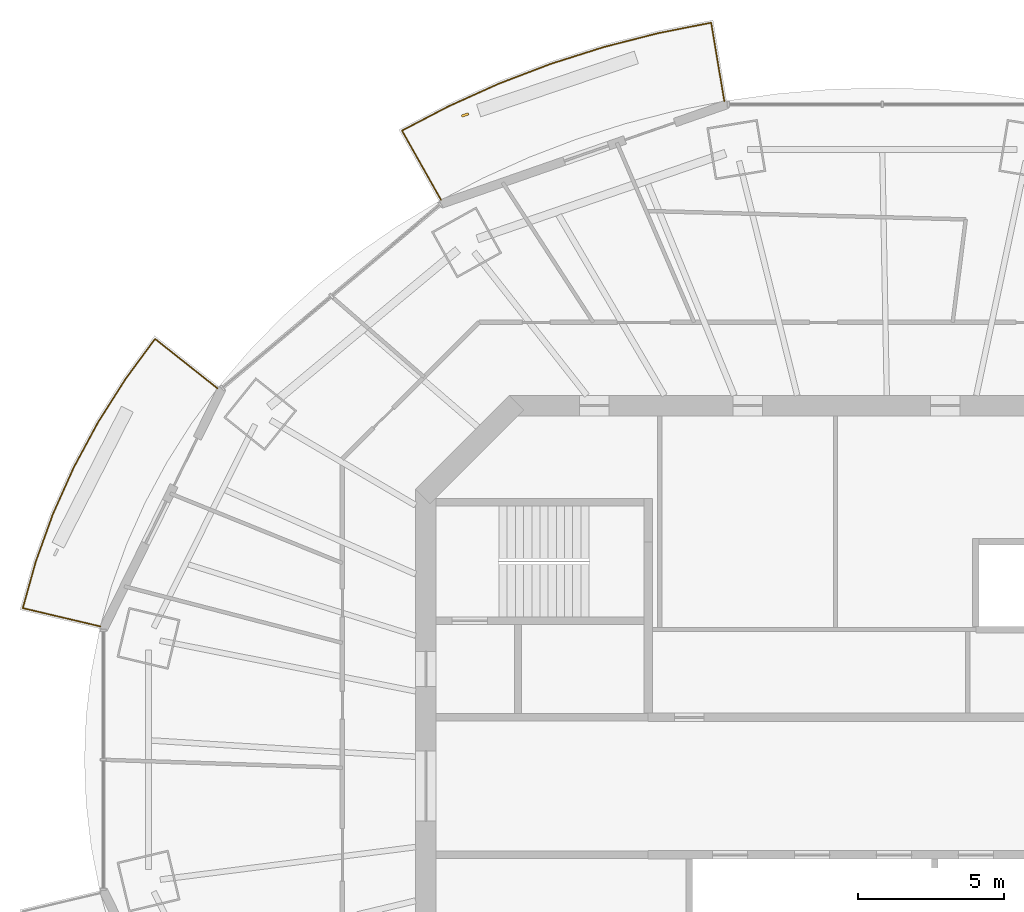
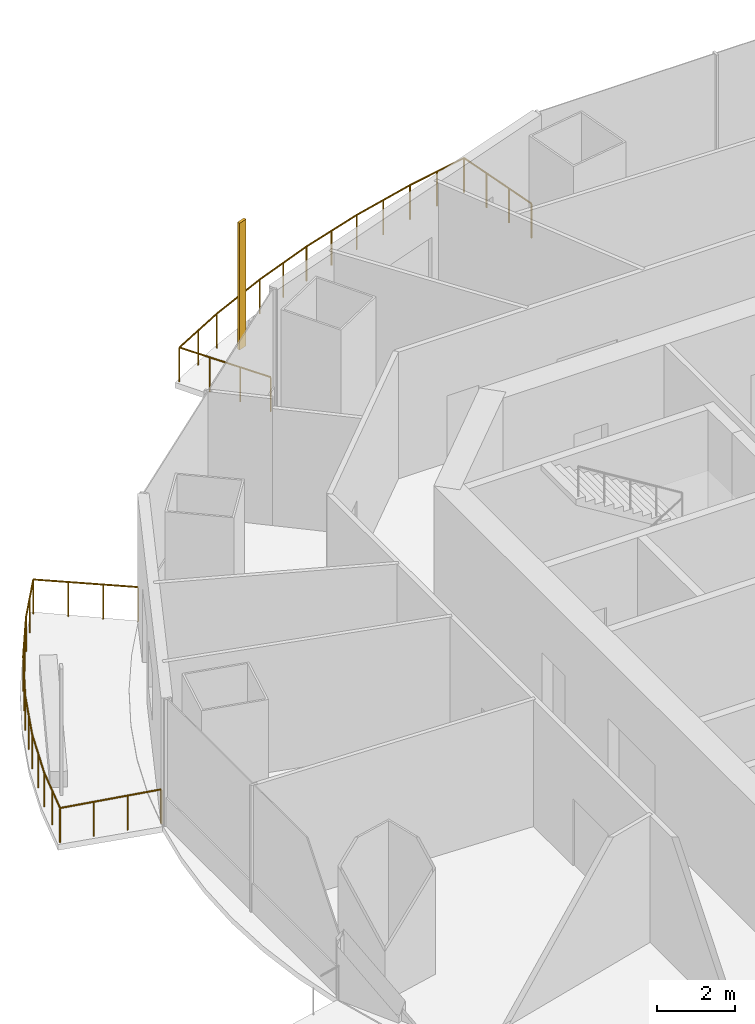
# One storey, part 14 of 16: 2 railings, 1 shading device.
"""IFC4 building model written with IfcOpenShell, lengths in metres."""

from ifc_helpers import new_model, si_unit, direction, frame, origin, origin_2d, place, context, subcontext, project, spatial, rectangle, circle, extrude, material, material_profile, profile_set, type_object, element, save


model = new_model("IFC4")

# Units and contexts
model_context = context("Model", 3, precision=1e-05, world=origin(), true_north=direction((0.0, 1.0)))
body_context = subcontext(model_context, "Body", "Model", "MODEL_VIEW")
ifc_project = project(units=[si_unit("LENGTHUNIT", "METRE"), si_unit("AREAUNIT", "SQUARE_METRE"), si_unit("VOLUMEUNIT", "CUBIC_METRE"), si_unit("PLANEANGLEUNIT", "RADIAN"), si_unit("MASSUNIT", "GRAM", prefix="KILO")], contexts=[model_context])

# Site, building, storey
site_placement = place(None, origin())
site = spatial("IfcSite", under=ifc_project, at=site_placement, CompositionType="ELEMENT")
building_placement = place(site_placement, origin())
building = spatial("IfcBuilding", under=site, at=building_placement, Name="Marenthal Gate Tower", CompositionType="ELEMENT")
storey_placement = place(building_placement, frame((0.0, 0.0, 338.449951171875)))
storey = spatial("IfcBuildingStorey", under=building, at=storey_placement, Name="L76", CompositionType="ELEMENT", Elevation=338.449951171875)

# Railings
ifc_material_1 = material(Name="Stainless steel", Category="steel")
railing_type = type_object("IfcRailingType", Name="Balcony guard 1100", PredefinedType="GUARDRAIL", material=ifc_material_1)
railing_1_placement = place(storey_placement, frame((-15.47998046875, 20.031494140625, 0.0)))
element("IfcRailing", 1, at=railing_1_placement, inside=storey, type_object=railing_type, Name="Balcony guard L76 bay 5", PredefinedType="GUARDRAIL", context=body_context, shape_type="SweptSolid", body=[
    extrude(circle(Radius=0.02392578125, at=origin_2d()), frame((0.0, 0.0, 1.076171875), z_axis=(-0.490740668141, 0.871181358019, -0.014718630134), x_axis=(-0.871275738879, -0.490793833336, 0.0)), (0.0, 0.0, 1.0), 2.72021484375),
    extrude(circle(Radius=0.02392578125, at=origin_2d()), frame((-1.3349609375, 2.369873046875, 1.0361328125), z_axis=(0.886507182027, 0.462714832498, 0.0), x_axis=(-0.462714832498, 0.886507182027, 0.0)), (0.0, 0.0, 1.0), 1.7939453125),
    extrude(circle(Radius=0.02392578125, at=origin_2d()), frame((0.25537109375, 3.199951171875, 1.0361328125), z_axis=(0.911863363512, 0.410493856573, 0.0), x_axis=(-0.410493856573, 0.911863363512, 0.0)), (0.0, 0.0, 1.0), 1.885986328125),
    extrude(circle(Radius=0.02392578125, at=origin_2d()), frame((1.97509765625, 3.97412109375, 1.0361328125), z_axis=(0.934293977025, 0.356503526623, 0.0), x_axis=(-0.356503526623, 0.934293977025, 0.0)), (0.0, 0.0, 1.0), 1.897705078125),
    extrude(circle(Radius=0.02392578125, at=origin_2d()), frame((3.748046875, 4.650634765625, 1.0361328125), z_axis=(0.953251321023, 0.302178620963, 0.0), x_axis=(-0.302178620963, 0.953251321023, 0.0)), (0.0, 0.0, 1.0), 1.907470703125),
    extrude(circle(Radius=0.02392578125, at=origin_2d()), frame((5.56640625, 5.22705078125, 1.0361328125), z_axis=(0.96890861354, 0.24741887278, 0.0), x_axis=(-0.24741887278, 0.96890861354, 0.0)), (0.0, 0.0, 1.0), 1.916259765625),
    extrude(circle(Radius=0.02392578125, at=origin_2d()), frame((7.423095703125, 5.701171875, 1.0361328125), z_axis=(0.981021353845, 0.193899724859, 0.0), x_axis=(-0.193899724859, 0.981021353845, 0.0)), (0.0, 0.0, 1.0), 1.84326171875),
    extrude(circle(Radius=0.02392578125, at=origin_2d()), frame((9.2314453125, 6.05859375, 1.0361328125), z_axis=(0.165312526275, -0.986131399953, 0.014718379104), x_axis=(0.98623823047, 0.165330435068, 0.0)), (0.0, 0.0, 1.0), 2.720458984375),
    extrude(circle(Radius=0.02099609375, at=origin_2d()), origin(), (0.0, 0.0, 1.0), 1.052001953125),
    extrude(circle(Radius=0.02099609375, at=origin_2d()), frame((-0.445068359375, 0.7900390625, -0.013427734375)), (0.0, 0.0, 1.0), 1.052001953125),
    extrude(circle(Radius=0.02099609375, at=origin_2d()), frame((-0.889892578125, 1.579833984375, -0.026611328125)), (0.0, 0.0, 1.0), 1.052001953125),
    extrude(circle(Radius=0.02099609375, at=origin_2d()), frame((-1.3349609375, 2.369873046875, -0.0400390625)), (0.0, 0.0, 1.0), 1.052001953125),
    extrude(circle(Radius=0.02099609375, at=origin_2d()), frame((-0.539794921875, 2.784912109375, -0.0400390625)), (0.0, 0.0, 1.0), 1.052001953125),
    extrude(circle(Radius=0.02099609375, at=origin_2d()), frame((0.25537109375, 3.199951171875, -0.0400390625)), (0.0, 0.0, 1.0), 1.052001953125),
    extrude(circle(Radius=0.02099609375, at=origin_2d()), frame((1.115234375, 3.5869140625, -0.0400390625)), (0.0, 0.0, 1.0), 1.052001953125),
    extrude(circle(Radius=0.02099609375, at=origin_2d()), frame((1.97509765625, 3.97412109375, -0.0400390625)), (0.0, 0.0, 1.0), 1.052001953125),
    extrude(circle(Radius=0.02099609375, at=origin_2d()), frame((2.861572265625, 4.3125, -0.0400390625)), (0.0, 0.0, 1.0), 1.052001953125),
    extrude(circle(Radius=0.02099609375, at=origin_2d()), frame((3.748046875, 4.650634765625, -0.0400390625)), (0.0, 0.0, 1.0), 1.052001953125),
    extrude(circle(Radius=0.02099609375, at=origin_2d()), frame((4.6572265625, 4.93896484375, -0.0400390625)), (0.0, 0.0, 1.0), 1.052001953125),
    extrude(circle(Radius=0.02099609375, at=origin_2d()), frame((5.56640625, 5.22705078125, -0.0400390625)), (0.0, 0.0, 1.0), 1.052001953125),
    extrude(circle(Radius=0.02099609375, at=origin_2d()), frame((6.49462890625, 5.464111328125, -0.0400390625)), (0.0, 0.0, 1.0), 1.052001953125),
    extrude(circle(Radius=0.02099609375, at=origin_2d()), frame((7.423095703125, 5.701171875, -0.0400390625)), (0.0, 0.0, 1.0), 1.052001953125),
    extrude(circle(Radius=0.02099609375, at=origin_2d()), frame((8.3271484375, 5.8798828125, -0.0400390625)), (0.0, 0.0, 1.0), 1.052001953125),
    extrude(circle(Radius=0.02099609375, at=origin_2d()), frame((9.2314453125, 6.05859375, -0.0400390625)), (0.0, 0.0, 1.0), 1.052001953125),
    extrude(circle(Radius=0.02099609375, at=origin_2d()), frame((9.38134765625, 5.164306640625, -0.026611328125)), (0.0, 0.0, 1.0), 1.052001953125),
    extrude(circle(Radius=0.02099609375, at=origin_2d()), frame((9.53125, 4.270263671875, -0.013427734375)), (0.0, 0.0, 1.0), 1.052001953125),
    extrude(circle(Radius=0.02099609375, at=origin_2d()), frame((9.68115234375, 3.3759765625, 0.0)), (0.0, 0.0, 1.0), 1.052001953125),
])
railing_2_placement = place(storey_placement, frame((-27.126708984375, 5.45751953125, 0.0)))
element("IfcRailing", 2, at=railing_2_placement, inside=storey, type_object=railing_type, Name="Balcony guard L76 bay 7", PredefinedType="GUARDRAIL", context=body_context, shape_type="SweptSolid", body=[
    extrude(circle(Radius=0.02392578125, at=origin_2d()), frame((0.0, 0.0, 1.076171875), z_axis=(-0.97315730439, 0.229669790827, -0.014718970573), x_axis=(-0.229694673631, -0.973262737859, 0.0)), (0.0, 0.0, 1.0), 2.72021484375),
    extrude(circle(Radius=0.02392578125, at=origin_2d()), frame((-2.647216796875, 0.624755859375, 1.0361328125), z_axis=(0.268600452735, 0.963251678841, 0.0), x_axis=(-0.963251678841, 0.268600452735, 0.0)), (0.0, 0.0, 1.0), 1.645263671875),
    extrude(circle(Radius=0.02392578125, at=origin_2d()), frame((-2.205322265625, 2.20947265625, 1.0361328125), z_axis=(0.338924060667, 0.940813733478, 0.0), x_axis=(-0.940813733478, 0.338924060667, 0.0)), (0.0, 0.0, 1.0), 1.732421875),
    extrude(circle(Radius=0.02392578125, at=origin_2d()), frame((-1.6181640625, 3.83935546875, 1.0361328125), z_axis=(0.407984820198, 0.912988711041, 0.0), x_axis=(-0.912988711041, 0.407984820198, 0.0)), (0.0, 0.0, 1.0), 1.741455078125),
    extrude(circle(Radius=0.02392578125, at=origin_2d()), frame((-0.90771484375, 5.42919921875, 1.0361328125), z_axis=(0.47377562076, 0.880645593399, 0.0), x_axis=(-0.880645593399, 0.47377562076, 0.0)), (0.0, 0.0, 1.0), 1.75146484375),
    extrude(circle(Radius=0.02392578125, at=origin_2d()), frame((-0.077880859375, 6.9716796875, 1.0361328125), z_axis=(0.535835828865, 0.844322192356, 0.0), x_axis=(-0.844322192356, 0.535835828865, 0.0)), (0.0, 0.0, 1.0), 1.76318359375),
    extrude(circle(Radius=0.02392578125, at=origin_2d()), frame((0.866943359375, 8.46044921875, 1.0361328125), z_axis=(0.592673479354, 0.805442826569, 0.0), x_axis=(-0.805442826569, 0.592673479354, 0.0)), (0.0, 0.0, 1.0), 1.69580078125),
    extrude(circle(Radius=0.02392578125, at=origin_2d()), frame((1.8720703125, 9.826416015625, 1.0361328125), z_axis=(0.783569480419, -0.621129810329, 0.01471829055), x_axis=(0.621197098339, 0.783654365786, 0.0)), (0.0, 0.0, 1.0), 2.720458984375),
    extrude(circle(Radius=0.02099609375, at=origin_2d()), origin(), (0.0, 0.0, 1.0), 1.052001953125),
    extrude(circle(Radius=0.02099609375, at=origin_2d()), frame((-0.88232421875, 0.208251953125, -0.013427734375)), (0.0, 0.0, 1.0), 1.052001953125),
    extrude(circle(Radius=0.02099609375, at=origin_2d()), frame((-1.764892578125, 0.41650390625, -0.026611328125)), (0.0, 0.0, 1.0), 1.052001953125),
    extrude(circle(Radius=0.02099609375, at=origin_2d()), frame((-2.647216796875, 0.624755859375, -0.0400390625)), (0.0, 0.0, 1.0), 1.052001953125),
    extrude(circle(Radius=0.02099609375, at=origin_2d()), frame((-2.42626953125, 1.4169921875, -0.0400390625)), (0.0, 0.0, 1.0), 1.052001953125),
    extrude(circle(Radius=0.02099609375, at=origin_2d()), frame((-2.205322265625, 2.20947265625, -0.0400390625)), (0.0, 0.0, 1.0), 1.052001953125),
    extrude(circle(Radius=0.02099609375, at=origin_2d()), frame((-1.91162109375, 3.0244140625, -0.0400390625)), (0.0, 0.0, 1.0), 1.052001953125),
    extrude(circle(Radius=0.02099609375, at=origin_2d()), frame((-1.6181640625, 3.83935546875, -0.0400390625)), (0.0, 0.0, 1.0), 1.052001953125),
    extrude(circle(Radius=0.02099609375, at=origin_2d()), frame((-1.262939453125, 4.63427734375, -0.0400390625)), (0.0, 0.0, 1.0), 1.052001953125),
    extrude(circle(Radius=0.02099609375, at=origin_2d()), frame((-0.90771484375, 5.42919921875, -0.0400390625)), (0.0, 0.0, 1.0), 1.052001953125),
    extrude(circle(Radius=0.02099609375, at=origin_2d()), frame((-0.49267578125, 6.200439453125, -0.0400390625)), (0.0, 0.0, 1.0), 1.052001953125),
    extrude(circle(Radius=0.02099609375, at=origin_2d()), frame((-0.077880859375, 6.9716796875, -0.0400390625)), (0.0, 0.0, 1.0), 1.052001953125),
    extrude(circle(Radius=0.02099609375, at=origin_2d()), frame((0.39453125, 7.716064453125, -0.0400390625)), (0.0, 0.0, 1.0), 1.052001953125),
    extrude(circle(Radius=0.02099609375, at=origin_2d()), frame((0.866943359375, 8.46044921875, -0.0400390625)), (0.0, 0.0, 1.0), 1.052001953125),
    extrude(circle(Radius=0.02099609375, at=origin_2d()), frame((1.36962890625, 9.1435546875, -0.0400390625)), (0.0, 0.0, 1.0), 1.052001953125),
    extrude(circle(Radius=0.02099609375, at=origin_2d()), frame((1.8720703125, 9.826416015625, -0.0400390625)), (0.0, 0.0, 1.0), 1.052001953125),
    extrude(circle(Radius=0.02099609375, at=origin_2d()), frame((2.58251953125, 9.26318359375, -0.026611328125)), (0.0, 0.0, 1.0), 1.052001953125),
    extrude(circle(Radius=0.02099609375, at=origin_2d()), frame((3.293212890625, 8.699951171875, -0.013427734375)), (0.0, 0.0, 1.0), 1.052001953125),
    extrude(circle(Radius=0.02099609375, at=origin_2d()), frame((4.003662109375, 8.13671875, 0.0)), (0.0, 0.0, 1.0), 1.052001953125),
])

# Shading device
ifc_material_2 = material(Name="Terracotta", Category="masonry")
ifc_material_profile = material_profile(ifc_material_2, rectangle(XDim=0.25, YDim=0.080078125, at=origin_2d()), Name="Terracotta baguette 250x80")
ifc_profile_set = profile_set([ifc_material_profile], Name="Terracotta")
shading_device_type = type_object("IfcShadingDeviceType", Name="Terracotta BAGUETTE SCREEN 250x80", PredefinedType="USERDEFINED", material=ifc_profile_set)
shading_device_placement = place(storey_placement, frame((-14.658935546875, 22.935302734375, -0.0400390625), z_axis=(0.0, 0.0, 1.0), x_axis=(-0.944185799872, -0.329413380602, 0.0)))
element("IfcShadingDevice", 3, at=shading_device_placement, inside=storey, type_object=shading_device_type, Name="Terracotta BAGUETTE L76 bay 5R", ObjectType="BAGUETTE SCREEN", PredefinedType="USERDEFINED", context=body_context, shape_type="SweptSolid", body=[
    extrude(rectangle(XDim=0.25, YDim=0.080078125, at=origin_2d()), origin(), (0.0, 0.0, 1.0), 3.969970703125),
])

save(model, "model.ifc")
